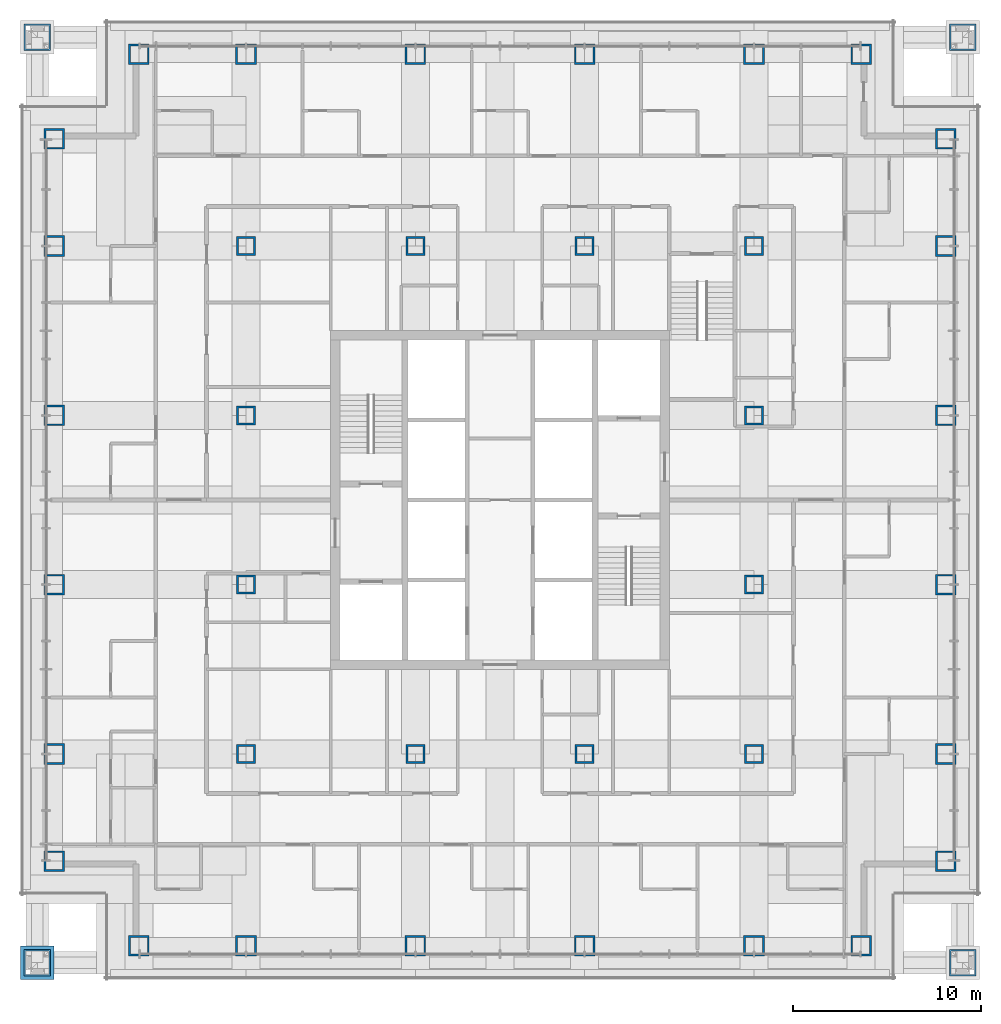
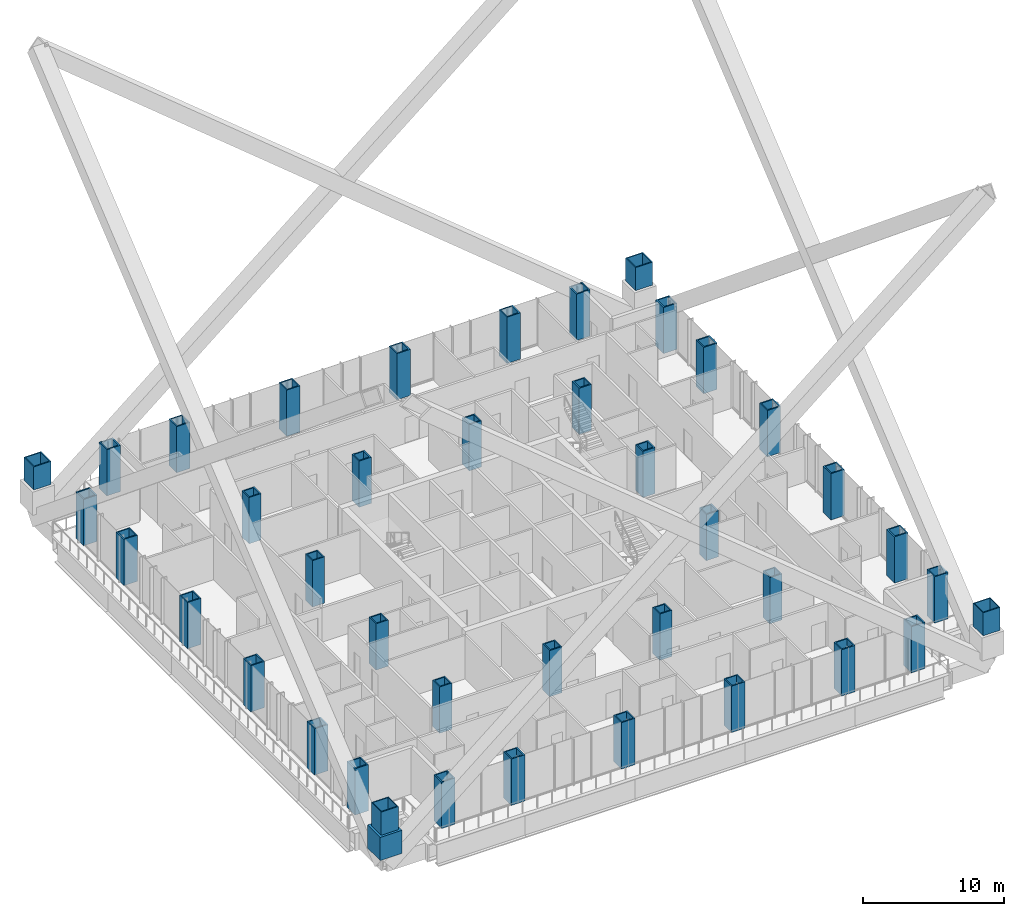
# One storey, part 1 of 20: 40 columns, 1 member.
"""IFC4 building model written with IfcOpenShell, lengths in metres."""

import ifcopenshell
import ifcopenshell.guid

model = None  # the IFC model being written
_history = None  # IfcOwnerHistory: only IFC2X3 demands one
_inside = {}  # id of a spatial element -> (the spatial element, [elements in it])
_under = {}  # id of a project, library or spatial element -> (it, [spatial elements below it])
_declared = {}  # id of a project -> (the project, [libraries it declares])
_typed = {}  # id of a type object -> (the type object, [elements of that type])
_made_of = {}  # id of a material, layer set ... -> (it, [elements and type objects made of it])


def new_model(schema):
    """Start an empty IFC model of exactly this schema.

    Asked for "IFC4X3", IfcOpenShell would pick the latest addendum, in which some entities
    have other attributes; the version numbers below select the first issue.
    IFC2X3 requires an IfcOwnerHistory on every rooted entity: one is made here for all.
    """
    global model, _history
    if schema == "IFC4X3":
        model = ifcopenshell.file(schema_version=(4, 3, 0, 0))
    else:
        model = ifcopenshell.file(schema=schema)
    _inside.clear()
    _under.clear()
    _declared.clear()
    _typed.clear()
    _made_of.clear()
    _history = None
    if model.schema == "IFC2X3":
        org = make("IfcOrganization", Name="unknown")
        user = make(
            "IfcPersonAndOrganization",
            ThePerson=make("IfcPerson", FamilyName="unknown"),
            TheOrganization=org,
        )
        app = make(
            "IfcApplication",
            ApplicationDeveloper=org,
            Version="unknown",
            ApplicationFullName="unknown",
            ApplicationIdentifier="unknown",
        )
        _history = make(
            "IfcOwnerHistory",
            OwningUser=user,
            OwningApplication=app,
            ChangeAction="ADDED",
            CreationDate=0,
        )
    return model


def make(cls, **values):
    """One entity of the class cls with the attributes given. An attribute that is None is left unset."""
    return model.create_entity(
        cls, **{name: value for name, value in values.items() if value is not None}
    )


def rooted(cls, **values):
    """An entity with a GlobalId (a new one), such as an element, a storey or a relation."""
    return make(cls, GlobalId=ifcopenshell.guid.new(), OwnerHistory=_history, **values)


def si_unit(unit_type, name, prefix=None):
    """IfcSIUnit, for example si_unit("LENGTHUNIT", "METRE", prefix="MILLI")."""
    return make("IfcSIUnit", UnitType=unit_type, Prefix=prefix, Name=name)


def assignment(units):
    """IfcUnitAssignment: the units of a project."""
    return None if units is None else make("IfcUnitAssignment", Units=units)


def point(xyz):
    """IfcCartesianPoint."""
    return None if xyz is None else make("IfcCartesianPoint", Coordinates=xyz)


def direction(xyz):
    """IfcDirection."""
    return None if xyz is None else make("IfcDirection", DirectionRatios=xyz)


def frame(location, z_axis=None, x_axis=None):
    """IfcAxis2Placement3D, a coordinate frame: its origin and axes. An axis left out is left unset."""
    return make(
        "IfcAxis2Placement3D",
        Location=point(location),
        Axis=direction(z_axis),
        RefDirection=direction(x_axis),
    )


def frame_2d(location, x_axis=None):
    """IfcAxis2Placement2D, a coordinate frame in the plane: its origin and x axis."""
    return make(
        "IfcAxis2Placement2D", Location=point(location), RefDirection=direction(x_axis)
    )


def origin():
    """The frame at (0, 0, 0) with its axes left unset."""
    return frame((0.0, 0.0, 0.0))


def origin_2d():
    """The frame at (0, 0) in the plane with its x axis left unset."""
    return frame_2d((0.0, 0.0))


def place(relative_to, where):
    """IfcLocalPlacement: puts the frame where relative to a parent placement (None: the world)."""
    return make(
        "IfcLocalPlacement", PlacementRelTo=relative_to, RelativePlacement=where
    )


def context(
    kind, dimensions, precision=None, world=None, true_north=None, identifier=None
):
    """IfcGeometricRepresentationContext, for example the 3D "Model" context."""
    return make(
        "IfcGeometricRepresentationContext",
        ContextIdentifier=identifier,
        ContextType=kind,
        CoordinateSpaceDimension=dimensions,
        Precision=precision,
        WorldCoordinateSystem=world,
        TrueNorth=true_north,
    )


def subcontext(parent, identifier, kind, view, scale=None):
    """IfcGeometricRepresentationSubContext, for example "Body" below "Model"."""
    return make(
        "IfcGeometricRepresentationSubContext",
        ContextIdentifier=identifier,
        ContextType=kind,
        ParentContext=parent,
        TargetScale=scale,
        TargetView=view,
    )


def project(units=None, contexts=None):
    """IfcProject with its units and contexts."""
    return rooted(
        "IfcProject",
        Name="project",
        RepresentationContexts=contexts,
        UnitsInContext=assignment(units),
    )


def spatial(cls, under=None, at=None, **own):
    """A site, building, storey or space (cls), placed at a placement, below another one or the project."""
    s = rooted(cls, ObjectPlacement=at, **own)
    if under is not None:
        _under.setdefault(under.id(), (under, []))[1].append(s)
    return s


def profile(cls, at=None, kind="AREA", **sizes):
    """A parametric profile (cls). Its sizes go by their IFC names, for example OverallWidth=200.0."""
    return make(cls, ProfileType=kind, Position=at, **sizes)


def hollow_rectangle(**sizes):
    """IfcRectangleHollowProfileDef."""
    return profile("IfcRectangleHollowProfileDef", **sizes)


def extrude(swept, where, along, depth):
    """IfcExtrudedAreaSolid: the profile swept, set in the frame where, extruded along a direction by depth."""
    return make(
        "IfcExtrudedAreaSolid",
        SweptArea=swept,
        Position=where,
        ExtrudedDirection=direction(along),
        Depth=depth,
    )


def shape(context_of_items, identifier, shape_type, items):
    """IfcShapeRepresentation: the items that make up one representation, for example the "Body"."""
    return make(
        "IfcShapeRepresentation",
        ContextOfItems=context_of_items,
        RepresentationIdentifier=identifier,
        RepresentationType=shape_type,
        Items=items,
    )


def material(Name=None, Category=None):
    """IfcMaterial."""
    return make("IfcMaterial", Name=Name, Category=Category)


def material_profile(
    of_material, cross_section, Name=None, Category=None, Priority=None
):
    """IfcMaterialProfile: a cross section and its material."""
    return make(
        "IfcMaterialProfile",
        Name=Name,
        Material=of_material,
        Profile=cross_section,
        Priority=Priority,
        Category=Category,
    )


def profile_set(profiles, Name=None, composite=None):
    """IfcMaterialProfileSet."""
    return make(
        "IfcMaterialProfileSet",
        Name=Name,
        MaterialProfiles=profiles,
        CompositeProfile=composite,
    )


def made_of(thing, what):
    """Note that an element or type object is made of a material, layer set ...; save() writes the relation."""
    if what is not None:
        _made_of.setdefault(what.id(), (what, []))[1].append(thing)
    return thing


def type_object(cls, material=None, **own):
    """A type object (cls), such as IfcWallType, which elements share."""
    return made_of(rooted(cls, **own), material)


def element(
    cls,
    number,
    at=None,
    inside=None,
    cuts=None,
    type_object=None,
    material=None,
    context=None,
    identifier="Body",
    shape_type=None,
    held_by="IfcProductDefinitionShape",
    body=None,
    shapes=None,
    **own,
):
    """One element of the class cls, such as IfcWall. Its Tag is "e" and its number.

    at: its placement. inside: the storey or other place that contains it. cuts: it is an
    opening in that element (IfcRelVoidsElement). A single representation is given by context,
    identifier, shape_type and body (its items); several are given by shapes. held_by: the class
    of the entity that holds the representations. save() writes the other relations.
    """
    e = rooted(cls, Tag="e%d" % number, ObjectPlacement=at, **own)
    if body is not None:
        shapes = [shape(context, identifier, shape_type, body)]
    if shapes is not None:
        e.Representation = make(held_by, Representations=shapes)
    if inside is not None:
        _inside.setdefault(inside.id(), (inside, []))[1].append(e)
    if cuts is not None:
        rooted(
            "IfcRelVoidsElement", RelatingBuildingElement=cuts, RelatedOpeningElement=e
        )
    if type_object is not None:
        _typed.setdefault(type_object.id(), (type_object, []))[1].append(e)
    return made_of(e, material)


def aggregate(whole, parts):
    """IfcRelAggregates: a whole, such as a stair, and the parts it consists of."""
    return rooted("IfcRelAggregates", RelatingObject=whole, RelatedObjects=parts)


def save(model, path):
    """Write the relations noted so far, then the file.

    IfcRelAggregates (storeys below a building ...), IfcRelContainedInSpatialStructure (elements
    in a storey), IfcRelDefinesByType, IfcRelAssociatesMaterial and IfcRelDeclares: one each for
    every whole, place, type object, material and project.
    """
    for whole, parts in _under.values():
        aggregate(whole, parts)
    for where, things in _inside.values():
        rooted(
            "IfcRelContainedInSpatialStructure",
            RelatedElements=things,
            RelatingStructure=where,
        )
    for kind, things in _typed.values():
        rooted("IfcRelDefinesByType", RelatedObjects=things, RelatingType=kind)
    for what, things in _made_of.values():
        rooted("IfcRelAssociatesMaterial", RelatedObjects=things, RelatingMaterial=what)
    for by, libraries in _declared.values():
        rooted("IfcRelDeclares", RelatingContext=by, RelatedDefinitions=libraries)
    model.write(path)


model = new_model("IFC4")

# Units and contexts
model_context = context("Model", 3, precision=1e-05, world=origin(), true_north=direction((0.0, 1.0)))
body_context = subcontext(model_context, "Body", "Model", "MODEL_VIEW")
ifc_project = project(units=[si_unit("LENGTHUNIT", "METRE"), si_unit("AREAUNIT", "SQUARE_METRE"), si_unit("VOLUMEUNIT", "CUBIC_METRE"), si_unit("PLANEANGLEUNIT", "RADIAN"), si_unit("MASSUNIT", "GRAM", prefix="KILO")], contexts=[model_context])

# Site, building, storey
site_placement = place(None, origin())
site = spatial("IfcSite", under=ifc_project, at=site_placement, CompositionType="ELEMENT")
building_placement = place(site_placement, origin())
building = spatial("IfcBuilding", under=site, at=building_placement, Name="Malebo Sky Hospital", CompositionType="ELEMENT")
storey_placement = place(building_placement, frame((0.0, 0.0, 100.0)))
storey = spatial("IfcBuildingStorey", under=building, at=storey_placement, Name="L23", CompositionType="ELEMENT", Elevation=100.0)

# Columns
ifc_material = material(Name="Steel S460", Category="steel")
ifc_material_profile_1 = material_profile(ifc_material, hollow_rectangle(XDim=1.0, YDim=1.0, WallThickness=0.10009765625, at=origin_2d()), Name="BOX 1000x1000x100")
ifc_profile_set_1 = profile_set([ifc_material_profile_1], Name="Steel S460")
column_type_1 = type_object("IfcColumnType", Name="INNER COLUMN BOX 1000x1000x100", PredefinedType="COLUMN", material=ifc_profile_set_1)
for number, where, z_axis, x_axis, name in (
    (1, (46.5, 48.5, 0.0), (0.0, 0.0, 1.0), (1.0, 0.0, 0.0), "Column IC9 L23"),
    (2, (73.5, 48.5, 0.0), (0.0, 0.0, 1.0), (1.0, 0.0, 0.0), "Column IC9 L23"),
    (3, (73.5, 75.5, 0.0), (0.0, 0.0, 1.0), (1.0, 0.0, 0.0), "Column IC9 L23"),
    (4, (46.5, 75.5, 0.0), (0.0, 0.0, 1.0), (1.0, 0.0, 0.0), "Column IC9 L23"),
    (5, (55.5, 48.5, 0.0), (0.0, 0.0, 1.0), (1.0, 0.0, 0.0), "Column IC9 L23"),
    (6, (64.5, 48.5, 0.0), (0.0, 0.0, 1.0), (1.0, 0.0, 0.0), "Column IC9 L23"),
    (7, (55.5, 75.5, 0.0), (0.0, 0.0, 1.0), (1.0, 0.0, 0.0), "Column IC9 L23"),
    (8, (64.5, 75.5, 0.0), (0.0, 0.0, 1.0), (1.0, 0.0, 0.0), "Column IC9 L23"),
    (9, (46.5, 57.5, 0.0), (0.0, 0.0, 1.0), (1.0, 0.0, 0.0), "Column IC9 L23"),
    (10, (46.5, 66.5, 0.0), (0.0, 0.0, 1.0), (1.0, 0.0, 0.0), "Column IC9 L23"),
    (11, (73.5, 57.5, 0.0), (0.0, 0.0, 1.0), (1.0, 0.0, 0.0), "Column IC9 L23"),
    (12, (73.5, 66.5, 0.0), (0.0, 0.0, 1.0), (1.0, 0.0, 0.0), "Column IC9 L23"),
):
    element("IfcColumn", number, at=place(storey_placement, frame(where, z_axis=z_axis, x_axis=x_axis)), inside=storey, type_object=column_type_1, Name=name, PredefinedType="COLUMN", context=body_context, shape_type="SweptSolid", body=[
        extrude(hollow_rectangle(XDim=1.0, YDim=1.0, WallThickness=0.10009765625, at=origin_2d()), origin(), (0.0, 0.0, 1.0), 4.0),
    ])
ifc_material_profile_2 = material_profile(ifc_material, hollow_rectangle(XDim=1.39990234375, YDim=1.39990234375, WallThickness=0.080078125, at=origin_2d()), Name="BOX 1400x1400x80")
ifc_profile_set_2 = profile_set([ifc_material_profile_2], Name="Steel S460")
column_type_2 = type_object("IfcColumnType", Name="MEGA COLUMN BOX 1400x1400x80", PredefinedType="COLUMN", material=ifc_profile_set_2)
for number, where, z_axis, x_axis, name in (
    (13, (35.39990234375, 37.39990234375, 2.0), (0.0, 0.0, 1.0), (1.0, 0.0, 0.0), "Mega column SW L23"),
    (14, (84.60009765625, 37.39990234375, 2.0), (0.0, 0.0, 1.0), (1.0, 0.0, 0.0), "Mega column SE L23"),
    (15, (84.60009765625, 86.60009765625, 2.0), (0.0, 0.0, 1.0), (1.0, 0.0, 0.0), "Mega column NE L23"),
    (16, (35.39990234375, 86.60009765625, 2.0), (0.0, 0.0, 1.0), (1.0, 0.0, 0.0), "Mega column NW L23"),
):
    element("IfcColumn", number, at=place(storey_placement, frame(where, z_axis=z_axis, x_axis=x_axis)), inside=storey, type_object=column_type_2, Name=name, PredefinedType="COLUMN", context=body_context, shape_type="SweptSolid", body=[
        extrude(hollow_rectangle(XDim=1.39990234375, YDim=1.39990234375, WallThickness=0.080078125, at=origin_2d()), origin(), (0.0, 0.0, 1.0), 2.0),
    ])
ifc_material_profile_3 = material_profile(ifc_material, hollow_rectangle(XDim=1.10009765625, YDim=1.10009765625, WallThickness=0.10009765625, at=origin_2d()), Name="BOX 1100x1100x100")
ifc_profile_set_3 = profile_set([ifc_material_profile_3], Name="Steel S460")
column_type_3 = type_object("IfcColumnType", Name="PERIMETER COLUMN BOX 1100x1100x100", PredefinedType="COLUMN", material=ifc_profile_set_3)
for number, where, z_axis, x_axis, name in (
    (17, (40.800048828125, 38.300048828125, 0.0), (0.0, 0.0, 1.0), (1.0, 0.0, 0.0), "Column PC10 L23"),
    (18, (40.800048828125, 85.699951171875, 0.0), (0.0, 0.0, 1.0), (1.0, 0.0, 0.0), "Column PC10 L23"),
    (19, (36.300048828125, 42.800048828125, 0.0), (0.0, 0.0, 1.0), (1.0, 0.0, 0.0), "Column PC10 L23"),
    (20, (83.699951171875, 42.800048828125, 0.0), (0.0, 0.0, 1.0), (1.0, 0.0, 0.0), "Column PC10 L23"),
    (21, (46.5, 38.300048828125, 0.0), (0.0, 0.0, 1.0), (1.0, 0.0, 0.0), "Column PC10 L23"),
    (22, (46.5, 85.699951171875, 0.0), (0.0, 0.0, 1.0), (1.0, 0.0, 0.0), "Column PC10 L23"),
    (23, (36.300048828125, 48.5, 0.0), (0.0, 0.0, 1.0), (1.0, 0.0, 0.0), "Column PC10 L23"),
    (24, (83.699951171875, 48.5, 0.0), (0.0, 0.0, 1.0), (1.0, 0.0, 0.0), "Column PC10 L23"),
    (25, (55.5, 38.300048828125, 0.0), (0.0, 0.0, 1.0), (1.0, 0.0, 0.0), "Column PC10 L23"),
    (26, (55.5, 85.699951171875, 0.0), (0.0, 0.0, 1.0), (1.0, 0.0, 0.0), "Column PC10 L23"),
    (27, (36.300048828125, 57.5, 0.0), (0.0, 0.0, 1.0), (1.0, 0.0, 0.0), "Column PC10 L23"),
    (28, (83.699951171875, 57.5, 0.0), (0.0, 0.0, 1.0), (1.0, 0.0, 0.0), "Column PC10 L23"),
    (29, (64.5, 38.300048828125, 0.0), (0.0, 0.0, 1.0), (1.0, 0.0, 0.0), "Column PC10 L23"),
    (30, (64.5, 85.699951171875, 0.0), (0.0, 0.0, 1.0), (1.0, 0.0, 0.0), "Column PC10 L23"),
    (31, (36.300048828125, 66.5, 0.0), (0.0, 0.0, 1.0), (1.0, 0.0, 0.0), "Column PC10 L23"),
    (32, (83.699951171875, 66.5, 0.0), (0.0, 0.0, 1.0), (1.0, 0.0, 0.0), "Column PC10 L23"),
    (33, (73.5, 38.300048828125, 0.0), (0.0, 0.0, 1.0), (1.0, 0.0, 0.0), "Column PC10 L23"),
    (34, (73.5, 85.699951171875, 0.0), (0.0, 0.0, 1.0), (1.0, 0.0, 0.0), "Column PC10 L23"),
    (35, (36.300048828125, 75.5, 0.0), (0.0, 0.0, 1.0), (1.0, 0.0, 0.0), "Column PC10 L23"),
    (36, (83.699951171875, 75.5, 0.0), (0.0, 0.0, 1.0), (1.0, 0.0, 0.0), "Column PC10 L23"),
    (37, (79.199951171875, 38.300048828125, 0.0), (0.0, 0.0, 1.0), (1.0, 0.0, 0.0), "Column PC10 L23"),
    (38, (79.199951171875, 85.699951171875, 0.0), (0.0, 0.0, 1.0), (1.0, 0.0, 0.0), "Column PC10 L23"),
    (39, (36.300048828125, 81.199951171875, 0.0), (0.0, 0.0, 1.0), (1.0, 0.0, 0.0), "Column PC10 L23"),
    (40, (83.699951171875, 81.199951171875, 0.0), (0.0, 0.0, 1.0), (1.0, 0.0, 0.0), "Column PC10 L23"),
):
    element("IfcColumn", number, at=place(storey_placement, frame(where, z_axis=z_axis, x_axis=x_axis)), inside=storey, type_object=column_type_3, Name=name, PredefinedType="COLUMN", context=body_context, shape_type="SweptSolid", body=[
        extrude(hollow_rectangle(XDim=1.10009765625, YDim=1.10009765625, WallThickness=0.10009765625, at=origin_2d()), origin(), (0.0, 0.0, 1.0), 4.0),
    ])

# Member
ifc_material_profile_4 = material_profile(ifc_material, hollow_rectangle(XDim=1.800048828125, YDim=1.800048828125, WallThickness=0.25, at=origin_2d()), Name="BOX 1800x1800x250")
ifc_profile_set_4 = profile_set([ifc_material_profile_4], Name="Steel S460")
member_type = type_object("IfcMemberType", Name="MEGA COLUMN NODE BOX 1800x1800x250", PredefinedType="MEMBER", material=ifc_profile_set_4)
member_placement = place(storey_placement, frame((35.39990234375, 37.39990234375, 0.0), z_axis=(0.0, 0.0, 1.0), x_axis=(1.0, 0.0, 0.0)))
element("IfcMember", 41, at=member_placement, inside=storey, type_object=member_type, Name="Mega column node SW L23", PredefinedType="MEMBER", context=body_context, shape_type="SweptSolid", body=[
    extrude(hollow_rectangle(XDim=1.800048828125, YDim=1.800048828125, WallThickness=0.25, at=origin_2d()), origin(), (0.0, 0.0, 1.0), 2.0),
])

save(model, "model.ifc")
